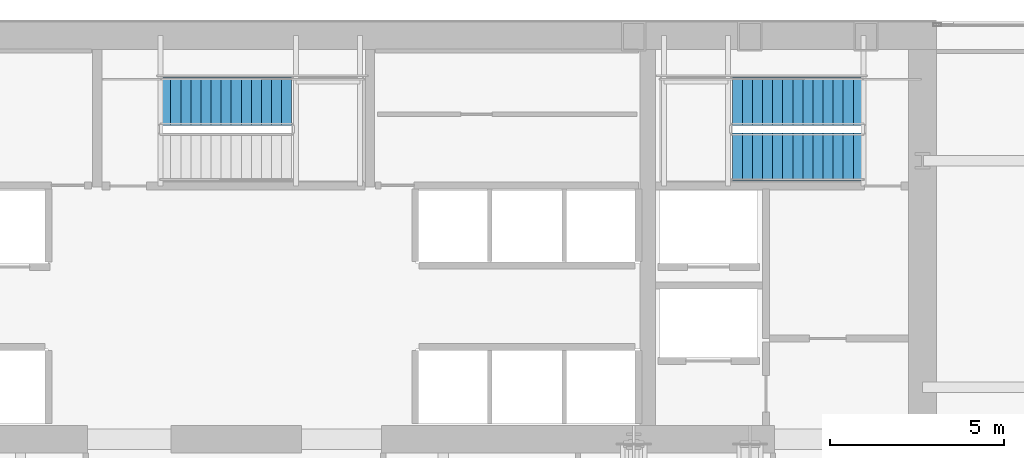
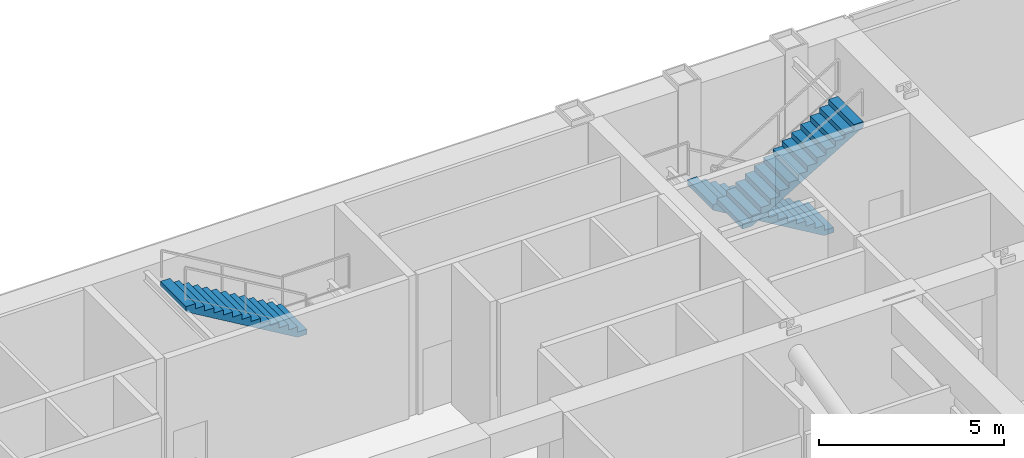
# One storey, part 29 of 32: 3 stair flights, 2 elements without a shape of their own.
"""IFC4 building model written with IfcOpenShell, lengths in metres."""

from ifc_helpers import new_model, si_unit, direction, frame, origin, place, context, subcontext, project, spatial, polyline, outline, extrude, material, type_object, element, aggregate, save


model = new_model("IFC4")

# Units and contexts
model_context = context("Model", 3, precision=1e-05, world=origin(), true_north=direction((0.0, 1.0)))
body_context = subcontext(model_context, "Body", "Model", "MODEL_VIEW")
ifc_project = project(units=[si_unit("LENGTHUNIT", "METRE"), si_unit("AREAUNIT", "SQUARE_METRE"), si_unit("VOLUMEUNIT", "CUBIC_METRE"), si_unit("PLANEANGLEUNIT", "RADIAN"), si_unit("MASSUNIT", "GRAM", prefix="KILO")], contexts=[model_context])

# Site, building, storey
site_placement = place(None, origin())
site = spatial("IfcSite", under=ifc_project, at=site_placement, CompositionType="ELEMENT")
building_placement = place(site_placement, origin())
building = spatial("IfcBuilding", under=site, at=building_placement, Name="Khoronbel Lancet Exchange", CompositionType="ELEMENT")
storey_placement = place(building_placement, frame((0.0, 0.0, 85.800048828125)))
storey = spatial("IfcBuildingStorey", under=building, at=storey_placement, Name="L20", CompositionType="ELEMENT", Elevation=85.800048828125)

# Stair, stair flights
ifc_material = material(Name="Concrete C40/50", Category="concrete")
stair_type = type_object("IfcStairType", Name="STR-CORE150", PredefinedType="HALF_TURN_STAIR", material=ifc_material)
stair_1_placement = place(storey_placement, origin())
stair_1 = element("IfcStair", 1, at=stair_1_placement, inside=storey, type_object=stair_type, Name="L20 Protected Exit Stair ST2", PredefinedType="HALF_TURN_STAIR")
stair_flight_type = type_object("IfcStairFlightType", Name="STF-150", PredefinedType="STRAIGHT", material=ifc_material)
stair_flight_1_placement = place(storey_placement, frame((54.60009765625, 51.409912109375, 0.0), z_axis=(0.0, 0.0, 1.0), x_axis=(-1.0, 0.0, 0.0)))
stair_flight_1 = element("IfcStairFlight", 2, at=stair_flight_1_placement, type_object=stair_flight_type, Name="ST2 flight 1", NumberOfRisers=14, NumberOfTreads=13, PredefinedType="STRAIGHT", RiserHeight=0.171428571, TreadLength=0.29, context=body_context, shape_type="SweptSolid", body=[
    extrude(outline(polyline([(0.0, 0.0), (0.0, 0.17138671875), (0.2900390625, 0.17138671875), (0.2900390625, 0.3427734375), (0.580078125, 0.3427734375), (0.580078125, 0.514404296875), (0.8701171875, 0.514404296875), (0.8701171875, 0.685791015625), (1.159912109375, 0.685791015625), (1.159912109375, 0.857177734375), (1.449951171875, 0.857177734375), (1.449951171875, 1.028564453125), (1.739990234375, 1.028564453125), (1.739990234375, 1.199951171875), (2.030029296875, 1.199951171875), (2.030029296875, 1.371337890625), (2.320068359375, 1.371337890625), (2.320068359375, 1.54296875), (2.610107421875, 1.54296875), (2.610107421875, 1.71435546875), (2.89990234375, 1.71435546875), (2.89990234375, 1.8857421875), (3.18994140625, 1.8857421875), (3.18994140625, 2.05712890625), (3.47998046875, 2.05712890625), (3.47998046875, 2.228515625), (3.77001953125, 2.228515625), (3.77001953125, 2.39990234375), (3.77001953125, 2.054443359375), (0.294677734375, 0.0), (0.0, 0.0)])), frame((0.0, 0.68994140625, 0.0), z_axis=(0.0, -1.0, 0.0), x_axis=(1.0, 0.0, 0.0)), (0.0, 0.0, 1.0), 1.3798828125),
])
stair_flight_2_placement = place(storey_placement, frame((50.830078125, 49.81005859375, 2.39990234375), z_axis=(0.0, 0.0, 1.0), x_axis=(1.0, 0.0, 0.0)))
stair_flight_2 = element("IfcStairFlight", 3, at=stair_flight_2_placement, type_object=stair_flight_type, Name="ST2 flight 2", NumberOfRisers=14, NumberOfTreads=13, PredefinedType="STRAIGHT", RiserHeight=0.171428571, TreadLength=0.29, context=body_context, shape_type="SweptSolid", body=[
    extrude(outline(polyline([(0.0, 0.0), (0.0, 0.17138671875), (0.2900390625, 0.17138671875), (0.2900390625, 0.3427734375), (0.580078125, 0.3427734375), (0.580078125, 0.514404296875), (0.8701171875, 0.514404296875), (0.8701171875, 0.685791015625), (1.159912109375, 0.685791015625), (1.159912109375, 0.857177734375), (1.449951171875, 0.857177734375), (1.449951171875, 1.028564453125), (1.739990234375, 1.028564453125), (1.739990234375, 1.199951171875), (2.030029296875, 1.199951171875), (2.030029296875, 1.371337890625), (2.320068359375, 1.371337890625), (2.320068359375, 1.54296875), (2.610107421875, 1.54296875), (2.610107421875, 1.71435546875), (2.89990234375, 1.71435546875), (2.89990234375, 1.8857421875), (3.18994140625, 1.8857421875), (3.18994140625, 2.05712890625), (3.47998046875, 2.05712890625), (3.47998046875, 2.228515625), (3.77001953125, 2.228515625), (3.77001953125, 2.39990234375), (3.77001953125, 2.054443359375), (0.294677734375, 0.0), (0.0, 0.0)])), frame((0.0, 0.68994140625, 0.0), z_axis=(0.0, -1.0, 0.0), x_axis=(1.0, 0.0, 0.0)), (0.0, 0.0, 1.0), 1.3798828125),
])
aggregate(stair_1, [stair_flight_1, stair_flight_2])

# Stair, stair flight
stair_2_placement = place(storey_placement, origin())
stair_2 = element("IfcStair", 4, at=stair_2_placement, inside=storey, type_object=stair_type, Name="L20 Protected Exit Stair ST3", PredefinedType="HALF_TURN_STAIR")
stair_flight_3_placement = place(storey_placement, frame((38.169921875, 51.409912109375, 2.39990234375), z_axis=(0.0, 0.0, 1.0), x_axis=(-1.0, 0.0, 0.0)))
stair_flight_3 = element("IfcStairFlight", 5, at=stair_flight_3_placement, type_object=stair_flight_type, Name="ST3 flight 2", NumberOfRisers=14, NumberOfTreads=13, PredefinedType="STRAIGHT", RiserHeight=0.171428571, TreadLength=0.29, context=body_context, shape_type="SweptSolid", body=[
    extrude(outline(polyline([(0.0, 0.0), (0.0, 0.17138671875), (0.2900390625, 0.17138671875), (0.2900390625, 0.3427734375), (0.580078125, 0.3427734375), (0.580078125, 0.514404296875), (0.8701171875, 0.514404296875), (0.8701171875, 0.685791015625), (1.159912109375, 0.685791015625), (1.159912109375, 0.857177734375), (1.449951171875, 0.857177734375), (1.449951171875, 1.028564453125), (1.739990234375, 1.028564453125), (1.739990234375, 1.199951171875), (2.030029296875, 1.199951171875), (2.030029296875, 1.371337890625), (2.320068359375, 1.371337890625), (2.320068359375, 1.54296875), (2.610107421875, 1.54296875), (2.610107421875, 1.71435546875), (2.89990234375, 1.71435546875), (2.89990234375, 1.8857421875), (3.18994140625, 1.8857421875), (3.18994140625, 2.05712890625), (3.47998046875, 2.05712890625), (3.47998046875, 2.228515625), (3.77001953125, 2.228515625), (3.77001953125, 2.39990234375), (3.77001953125, 2.054443359375), (0.294677734375, 0.0), (0.0, 0.0)])), frame((0.0, 0.68994140625, 0.0), z_axis=(0.0, -1.0, 0.0), x_axis=(1.0, 0.0, 0.0)), (0.0, 0.0, 1.0), 1.3798828125),
])
aggregate(stair_2, [stair_flight_3])

save(model, "model.ifc")
